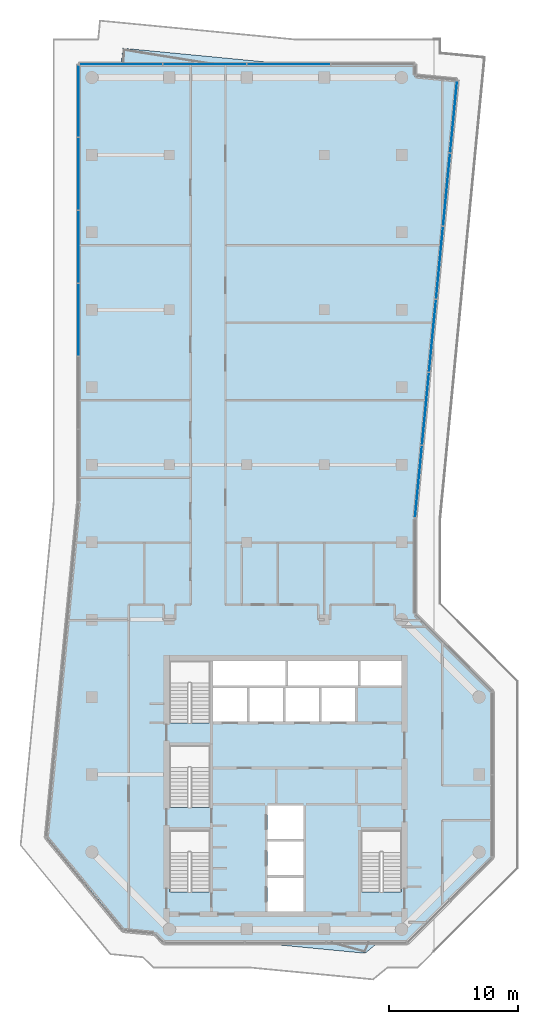
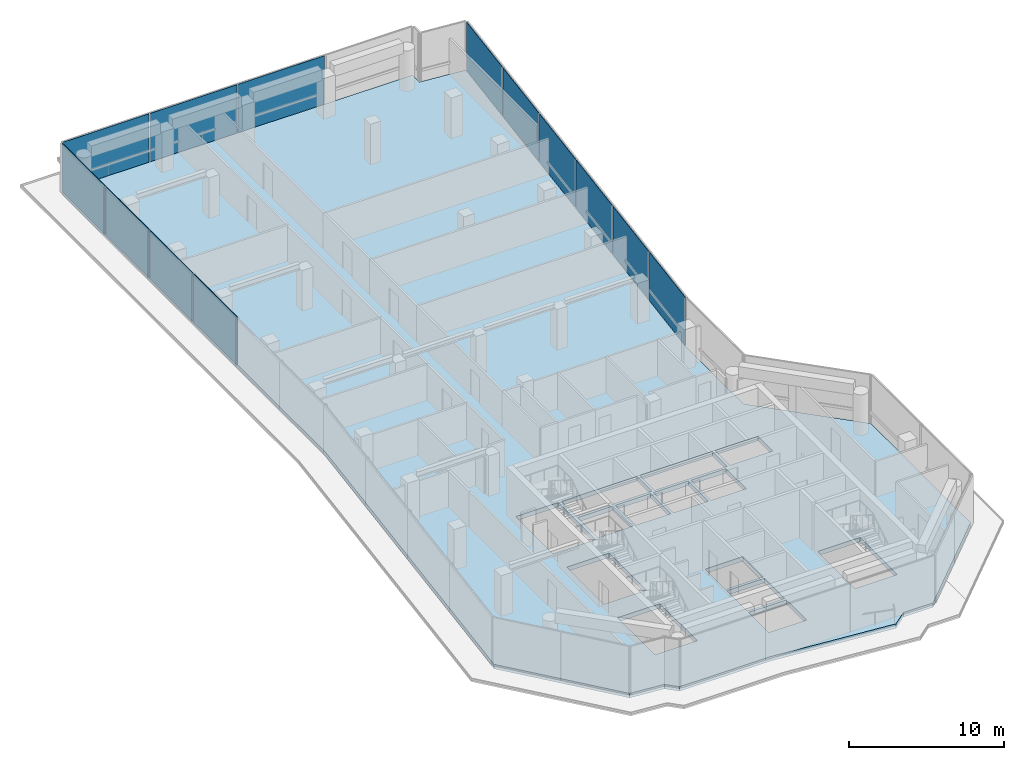
# One storey, part 7 of 13: 13 plates, 1 slab, 3 elements without a shape of their own.
"""IFC4 building model written with IfcOpenShell, lengths in metres."""

from ifc_helpers import new_model, si_unit, direction, frame, origin, origin_2d, place, context, subcontext, project, spatial, polyline, rectangle, outline, extrude, material, layer, layer_set, type_object, element, aggregate, save


model = new_model("IFC4")

# Units and contexts
model_context = context("Model", 3, precision=1e-05, world=origin(), true_north=direction((0.0, 1.0)))
body_context = subcontext(model_context, "Body", "Model", "MODEL_VIEW")
ifc_project = project(units=[si_unit("LENGTHUNIT", "METRE"), si_unit("AREAUNIT", "SQUARE_METRE"), si_unit("VOLUMEUNIT", "CUBIC_METRE"), si_unit("PLANEANGLEUNIT", "RADIAN"), si_unit("MASSUNIT", "GRAM", prefix="KILO")], contexts=[model_context])

# Site, building, storey
site_placement = place(None, origin())
site = spatial("IfcSite", under=ifc_project, at=site_placement, CompositionType="ELEMENT")
building_placement = place(site_placement, origin())
building = spatial("IfcBuilding", under=site, at=building_placement, Name="Welwitschia Terrace Campus", CompositionType="ELEMENT")
storey_placement = place(building_placement, frame((0.0, 0.0, 251.60009765625)))
storey = spatial("IfcBuildingStorey", under=building, at=storey_placement, Name="L56", CompositionType="ELEMENT", Elevation=251.60009765625)

# Curtain wall, plates
ifc_material_1 = material(Name="Bronze anodised aluminium", Category="aluminium")
ifc_layer_1 = layer(ifc_material_1, 0.199951171875)
ifc_layer_set_1 = layer_set([ifc_layer_1], Name="Bronze anodised aluminium")
curtain_wall_type = type_object("IfcCurtainWallType", Name="Curtain wall CW6 plant floor 6000", PredefinedType="NOTDEFINED", material=ifc_layer_set_1)
curtain_wall_1_placement = place(storey_placement, origin())
curtain_wall_1 = element("IfcCurtainWall", 1, at=curtain_wall_1_placement, inside=storey, type_object=curtain_wall_type, Name="CW L56.0.0", PredefinedType="NOTDEFINED")
ifc_material_2 = material(Name="Tinted bronze-grey glass", Category="glass")
ifc_layer_2 = layer(ifc_material_2, 0.035888671875)
ifc_layer_set_2 = layer_set([ifc_layer_2], Name="Tinted bronze-grey glass")
plate_type = type_object("IfcPlateType", Name="Glass panel 36 laminated", PredefinedType="CURTAIN_PANEL", material=ifc_layer_set_2)
plate_1_placement = place(storey_placement, frame((-1.030029296875, 68.183349609375, 0.0), z_axis=(0.0, 0.0, 1.0), x_axis=(0.0, -1.0, 0.0)))
plate_1 = element("IfcPlate", 2, at=plate_1_placement, type_object=plate_type, Name="Panel L56.0.0.0", PredefinedType="CURTAIN_PANEL", context=body_context, shape_type="SweptSolid", body=[
    extrude(rectangle(XDim=5.533447265625, YDim=0.035888671875, at=origin_2d()), origin(), (0.0, 0.0, 1.0), 3.800048828125),
])
plate_2_placement = place(storey_placement, frame((-1.030029296875, 62.5498046875, 0.0), z_axis=(0.0, 0.0, 1.0), x_axis=(0.0, -1.0, 0.0)))
plate_2 = element("IfcPlate", 3, at=plate_2_placement, type_object=plate_type, Name="Panel L56.0.0.1", PredefinedType="CURTAIN_PANEL", context=body_context, shape_type="SweptSolid", body=[
    extrude(rectangle(XDim=5.573486328125, YDim=0.035888671875, at=origin_2d()), origin(), (0.0, 0.0, 1.0), 3.800048828125),
])
plate_3_placement = place(storey_placement, frame((-1.030029296875, 56.896240234375, 0.0), z_axis=(0.0, 0.0, 1.0), x_axis=(0.0, -1.0, 0.0)))
plate_3 = element("IfcPlate", 4, at=plate_3_placement, type_object=plate_type, Name="Panel L56.0.0.2", PredefinedType="CURTAIN_PANEL", context=body_context, shape_type="SweptSolid", body=[
    extrude(rectangle(XDim=5.573486328125, YDim=0.035888671875, at=origin_2d()), origin(), (0.0, 0.0, 1.0), 3.800048828125),
])
plate_4_placement = place(storey_placement, frame((-1.030029296875, 51.24267578125, 0.0), z_axis=(0.0, 0.0, 1.0), x_axis=(0.0, -1.0, 0.0)))
plate_4 = element("IfcPlate", 5, at=plate_4_placement, type_object=plate_type, Name="Panel L56.0.0.3", PredefinedType="CURTAIN_PANEL", context=body_context, shape_type="SweptSolid", body=[
    extrude(rectangle(XDim=5.573486328125, YDim=0.035888671875, at=origin_2d()), origin(), (0.0, 0.0, 1.0), 3.800048828125),
])
aggregate(curtain_wall_1, [plate_1, plate_2, plate_3, plate_4])

curtain_wall_2_placement = place(storey_placement, origin())
curtain_wall_2 = element("IfcCurtainWall", 6, at=curtain_wall_2_placement, inside=storey, type_object=curtain_wall_type, Name="CW L56.10.0", PredefinedType="NOTDEFINED")
plate_5_placement = place(storey_placement, frame((25.304443359375, 38.706298828125, 0.0), z_axis=(0.0, 0.0, 1.0), x_axis=(0.09584575252, 0.995396198367, 0.0)))
plate_5 = element("IfcPlate", 7, at=plate_5_placement, type_object=plate_type, Name="Panel L56.10.0.0", PredefinedType="CURTAIN_PANEL", context=body_context, shape_type="SweptSolid", body=[
    extrude(rectangle(XDim=5.565185546875, YDim=0.035888671875, at=origin_2d()), origin(), (0.0, 0.0, 1.0), 3.800048828125),
])
plate_6_placement = place(storey_placement, frame((25.847412109375, 44.345458984375, 0.0), z_axis=(0.0, 0.0, 1.0), x_axis=(0.09584575252, 0.995396198367, 0.0)))
plate_6 = element("IfcPlate", 8, at=plate_6_placement, type_object=plate_type, Name="Panel L56.10.0.1", PredefinedType="CURTAIN_PANEL", context=body_context, shape_type="SweptSolid", body=[
    extrude(rectangle(XDim=5.605224609375, YDim=0.035888671875, at=origin_2d()), origin(), (0.0, 0.0, 1.0), 3.800048828125),
])
plate_7_placement = place(storey_placement, frame((26.392333984375, 50.00439453125, 0.0), z_axis=(0.0, 0.0, 1.0), x_axis=(0.09584575252, 0.995396198367, 0.0)))
plate_7 = element("IfcPlate", 9, at=plate_7_placement, type_object=plate_type, Name="Panel L56.10.0.2", PredefinedType="CURTAIN_PANEL", context=body_context, shape_type="SweptSolid", body=[
    extrude(rectangle(XDim=5.605224609375, YDim=0.035888671875, at=origin_2d()), origin(), (0.0, 0.0, 1.0), 3.800048828125),
])
plate_8_placement = place(storey_placement, frame((26.937255859375, 55.663330078125, 0.0), z_axis=(0.0, 0.0, 1.0), x_axis=(0.09584575252, 0.995396198367, 0.0)))
plate_8 = element("IfcPlate", 10, at=plate_8_placement, type_object=plate_type, Name="Panel L56.10.0.3", PredefinedType="CURTAIN_PANEL", context=body_context, shape_type="SweptSolid", body=[
    extrude(rectangle(XDim=5.605224609375, YDim=0.035888671875, at=origin_2d()), origin(), (0.0, 0.0, 1.0), 3.800048828125),
])
plate_9_placement = place(storey_placement, frame((27.48193359375, 61.322265625, 0.0), z_axis=(0.0, 0.0, 1.0), x_axis=(0.09584575252, 0.995396198367, 0.0)))
plate_9 = element("IfcPlate", 11, at=plate_9_placement, type_object=plate_type, Name="Panel L56.10.0.4", PredefinedType="CURTAIN_PANEL", context=body_context, shape_type="SweptSolid", body=[
    extrude(rectangle(XDim=5.605224609375, YDim=0.035888671875, at=origin_2d()), origin(), (0.0, 0.0, 1.0), 3.800048828125),
])
plate_10_placement = place(storey_placement, frame((28.02490234375, 66.96142578125, 0.0), z_axis=(0.0, 0.0, 1.0), x_axis=(0.09584575252, 0.995396198367, 0.0)))
plate_10 = element("IfcPlate", 12, at=plate_10_placement, type_object=plate_type, Name="Panel L56.10.0.5", PredefinedType="CURTAIN_PANEL", context=body_context, shape_type="SweptSolid", body=[
    extrude(rectangle(XDim=5.565185546875, YDim=0.035888671875, at=origin_2d()), origin(), (0.0, 0.0, 1.0), 3.800048828125),
])
aggregate(curtain_wall_2, [plate_5, plate_6, plate_7, plate_8, plate_9, plate_10])

curtain_wall_3_placement = place(storey_placement, origin())
curtain_wall_3 = element("IfcCurtainWall", 13, at=curtain_wall_3_placement, inside=storey, type_object=curtain_wall_type, Name="CW L56.13.0", PredefinedType="NOTDEFINED")
plate_11_placement = place(storey_placement, frame((15.257568359375, 71.030029296875, 0.0), z_axis=(0.0, 0.0, 1.0), x_axis=(-1.0, 0.0, 0.0)))
plate_11 = element("IfcPlate", 14, at=plate_11_placement, type_object=plate_type, Name="Panel L56.13.0.1", PredefinedType="CURTAIN_PANEL", context=body_context, shape_type="SweptSolid", body=[
    extrude(rectangle(XDim=6.43505859375, YDim=0.035888671875, at=origin_2d()), origin(), (0.0, 0.0, 1.0), 3.800048828125),
])
plate_12_placement = place(storey_placement, frame((8.742431640625, 71.030029296875, 0.0), z_axis=(0.0, 0.0, 1.0), x_axis=(-1.0, 0.0, 0.0)))
plate_12 = element("IfcPlate", 15, at=plate_12_placement, type_object=plate_type, Name="Panel L56.13.0.2", PredefinedType="CURTAIN_PANEL", context=body_context, shape_type="SweptSolid", body=[
    extrude(rectangle(XDim=6.43505859375, YDim=0.035888671875, at=origin_2d()), origin(), (0.0, 0.0, 1.0), 3.800048828125),
])
plate_13_placement = place(storey_placement, frame((2.24755859375, 71.030029296875, 0.0), z_axis=(0.0, 0.0, 1.0), x_axis=(-1.0, 0.0, 0.0)))
plate_13 = element("IfcPlate", 16, at=plate_13_placement, type_object=plate_type, Name="Panel L56.13.0.3", PredefinedType="CURTAIN_PANEL", context=body_context, shape_type="SweptSolid", body=[
    extrude(rectangle(XDim=6.39501953125, YDim=0.035888671875, at=origin_2d()), origin(), (0.0, 0.0, 1.0), 3.800048828125),
])
aggregate(curtain_wall_3, [plate_11, plate_12, plate_13])

# Slab
ifc_material_3 = material(Name="Concrete C40/50", Category="concrete")
ifc_layer_3 = layer(ifc_material_3, 0.35009765625)
ifc_layer_set_3 = layer_set([ifc_layer_3], Name="Concrete C40/50")
slab_type = type_object("IfcSlabType", Name="Suspended floor slab 350", PredefinedType="FLOOR", material=ifc_layer_set_3)
slab_placement = place(storey_placement, frame((0.0, 0.0, -0.35009765625)))
element("IfcSlab", 17, at=slab_placement, inside=storey, type_object=slab_type, Name="Floor slab L56", PredefinedType="FLOOR", context=body_context, shape_type="SweptSolid", body=[
    extrude(outline(polyline([(2.263427734375, 71.0), (2.38623046875, 72.275634765625), (15.635498046875, 71.0), (25.0, 71.0), (25.0, 70.098388671875), (28.2666015625, 69.78369140625), (25.0, 35.8583984375), (25.0, 28.414306640625), (31.0, 22.414306640625), (31.0, 9.585693359375), (24.414306640625, 3.0), (22.193603515625, 3.0), (21.166015625, 2.153076171875), (12.369140625, 3.0), (5.585693359375, 3.0), (4.863037109375, 3.72265625), (2.42431640625, 3.95751953125), (-3.5, 11.144287109375), (-1.0, 37.107421875), (-1.0, 71.0), (2.263427734375, 71.0)]), holes=[polyline([(13.60009765625, 8.0), (13.60009765625, 5.39990234375), (16.39990234375, 5.39990234375), (16.39990234375, 8.0), (13.60009765625, 8.0)]), polyline([(9.14990234375, 11.699951171875), (6.0, 11.699951171875), (6.0, 6.902099609375), (9.14990234375, 6.902099609375), (9.14990234375, 11.699951171875)]), polyline([(9.14990234375, 18.25), (6.0, 18.25), (6.0, 13.451904296875), (9.14990234375, 13.451904296875), (9.14990234375, 18.25)]), polyline([(12.0, 22.699951171875), (9.39990234375, 22.699951171875), (9.39990234375, 20.10009765625), (12.0, 20.10009765625), (12.0, 22.699951171875)]), polyline([(14.800048828125, 22.699951171875), (12.199951171875, 22.699951171875), (12.199951171875, 20.10009765625), (14.800048828125, 20.10009765625), (14.800048828125, 22.699951171875)]), polyline([(9.14990234375, 24.800048828125), (6.0, 24.800048828125), (6.0, 20.001953125), (9.14990234375, 20.001953125), (9.14990234375, 24.800048828125)]), polyline([(15.0, 24.800048828125), (9.39990234375, 24.800048828125), (9.39990234375, 22.89990234375), (15.0, 22.89990234375), (15.0, 24.800048828125)]), polyline([(20.85009765625, 11.699951171875), (20.85009765625, 6.902099609375), (24.0, 6.902099609375), (24.0, 11.699951171875), (20.85009765625, 11.699951171875)]), polyline([(16.39990234375, 10.800048828125), (13.60009765625, 10.800048828125), (13.60009765625, 8.199951171875), (16.39990234375, 8.199951171875), (16.39990234375, 10.800048828125)]), polyline([(16.39990234375, 13.60009765625), (13.60009765625, 13.60009765625), (13.60009765625, 11.0), (16.39990234375, 11.0), (16.39990234375, 13.60009765625)]), polyline([(17.60009765625, 22.699951171875), (15.0, 22.699951171875), (15.0, 20.10009765625), (17.60009765625, 20.10009765625), (17.60009765625, 22.699951171875)]), polyline([(20.39990234375, 22.699951171875), (17.800048828125, 22.699951171875), (17.800048828125, 20.10009765625), (20.39990234375, 20.10009765625), (20.39990234375, 22.699951171875)]), polyline([(20.60009765625, 24.800048828125), (15.199951171875, 24.800048828125), (15.199951171875, 22.89990234375), (20.60009765625, 22.89990234375), (20.60009765625, 24.800048828125)]), polyline([(24.0, 24.800048828125), (20.800048828125, 24.800048828125), (20.800048828125, 22.89990234375), (24.0, 22.89990234375), (24.0, 24.800048828125)])]), origin(), (0.0, 0.0, 1.0), 0.35009765625),
])

save(model, "model.ifc")
